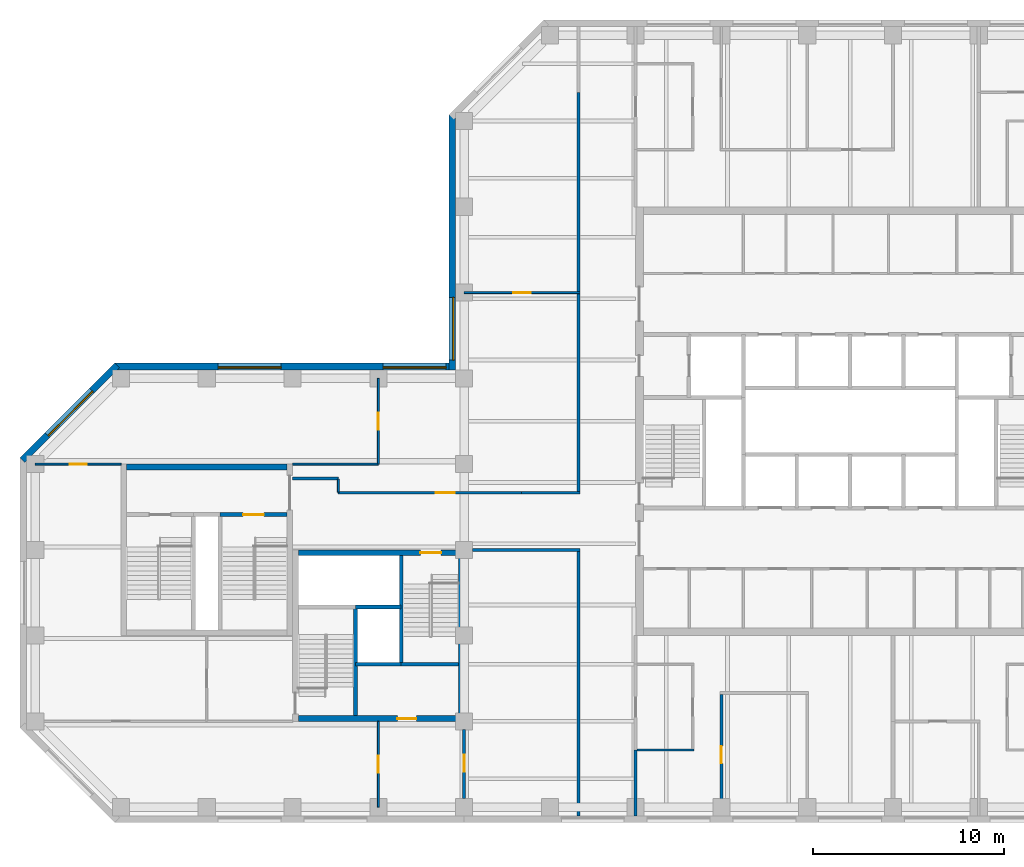
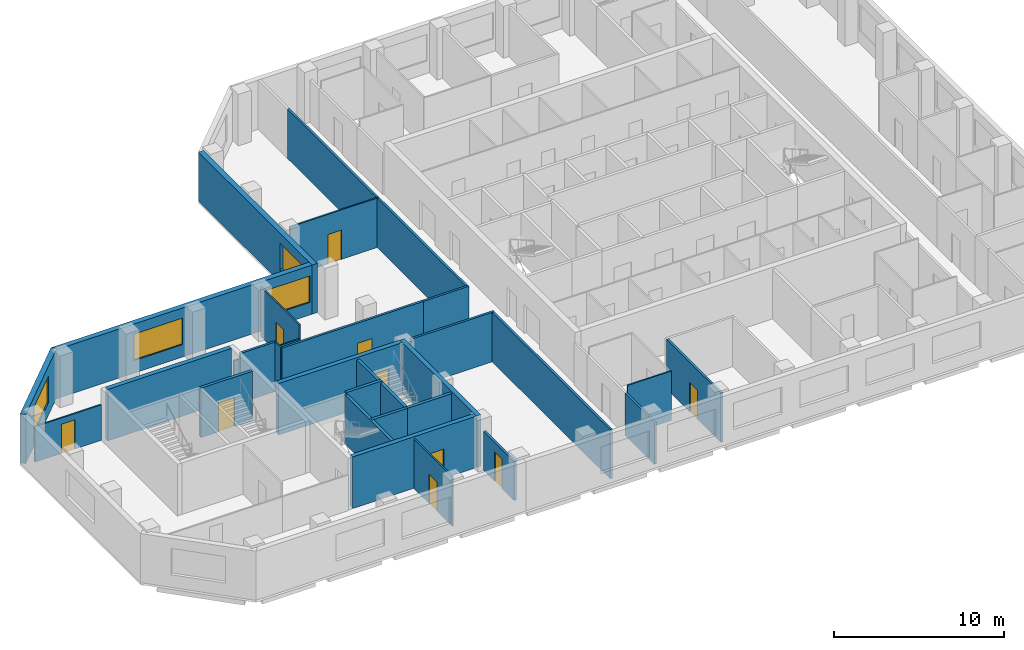
# One storey, part 3 of 9: 29 walls, 10 doors, 4 windows, 14 openings.
"""IFC4 building model written with IfcOpenShell, lengths in metres."""

from ifc_helpers import new_model, si_unit, direction, frame, frame_2d, origin, place, context, subcontext, project, spatial, rectangle, extrude, material, layer, layer_set, constituent, constituent_set, type_object, element, fill, save


model = new_model("IFC4")

# Units and contexts
model_context = context("Model", 3, precision=1e-05, world=origin(), true_north=direction((0.0, 1.0)))
body_context = subcontext(model_context, "Body", "Model", "MODEL_VIEW")
ifc_project = project(units=[si_unit("LENGTHUNIT", "METRE"), si_unit("AREAUNIT", "SQUARE_METRE"), si_unit("VOLUMEUNIT", "CUBIC_METRE"), si_unit("PLANEANGLEUNIT", "RADIAN"), si_unit("MASSUNIT", "GRAM", prefix="KILO")], contexts=[model_context])

# Site, building, storey
site_placement = place(None, origin())
site = spatial("IfcSite", under=ifc_project, at=site_placement, CompositionType="ELEMENT")
building_placement = place(site_placement, origin())
building = spatial("IfcBuilding", under=site, at=building_placement, Name="Quoin Convention Tower", CompositionType="ELEMENT")
storey_placement = place(building_placement, frame((0.0, 0.0, 162.5)))
storey = spatial("IfcBuildingStorey", under=building, at=storey_placement, Name="L42", CompositionType="ELEMENT", Elevation=162.5)

# Wall, opening, door
ifc_material_1 = material(Name="Plasterboard")
ifc_layer_1 = layer(ifc_material_1, 0.012451171875, Name="Finish")
ifc_material_2 = material(Name="Steel stud framing", Category="steel")
ifc_layer_2 = layer(ifc_material_2, 0.125, Name="Structure")
ifc_layer_3 = layer(ifc_material_1, 0.012451171875, Name="Finish")
ifc_layer_set_1 = layer_set([ifc_layer_1, ifc_layer_2, ifc_layer_3], Name="Steel stud framing")
wall_type_1 = type_object("IfcWallType", Name="Acoustic partition 150", PredefinedType="PARTITIONING", material=ifc_layer_set_1)
wall_1_placement = place(storey_placement, frame((49.5, 40.050048828125, 0.0), z_axis=(0.0, 0.0, 1.0), x_axis=(0.0, 1.0, 0.0)))
wall_1 = element("IfcWall", 1, at=wall_1_placement, inside=storey, type_object=wall_type_1, Name="pw-L42-039", PredefinedType="PARTITIONING", context=body_context, shape_type="SweptSolid", body=[
    extrude(rectangle(XDim=6.375, YDim=0.14990234375, at=frame_2d((3.1875, 0.0))), origin(), (0.0, 0.0, 1.0), 3.550048828125),
])
opening_1_placement = place(wall_1_placement, frame((2.75, 0.0, 0.0)))
opening_1 = element("IfcOpeningElement", 2, at=opening_1_placement, cuts=wall_1, Name="Opening DOH3-08", PredefinedType="OPENING", context=body_context, shape_type="SweptSolid", body=[
    extrude(rectangle(XDim=0.89990234375, YDim=2.10009765625, at=frame_2d((0.449951171875, 1.050048828125))), frame((0.0, 0.0849609375, 0.0), z_axis=(0.0, -1.0, 0.0), x_axis=(1.0, 0.0, 0.0)), (0.0, 0.0, 1.0), 0.169921875),
])
ifc_material_3 = material(Name="Steel door leaf", Category="steel")
door_type_1 = type_object("IfcDoorType", Name="Office door 900 x 2100", OperationType="SINGLE_SWING_RIGHT", PredefinedType="DOOR", material=ifc_material_3)
door_1_placement = place(opening_1_placement, origin())
door_1 = element("IfcDoor", 3, at=door_1_placement, inside=storey, type_object=door_type_1, Name="dr-L42-10", OperationType="SINGLE_SWING_RIGHT", OverallHeight=2.10009765625, OverallWidth=0.89990234375, PredefinedType="DOOR", context=body_context, shape_type="SweptSolid", body=[
    extrude(rectangle(XDim=0.89990234375, YDim=2.10009765625, at=frame_2d((0.449951171875, 1.050048828125))), frame((0.0, 0.02490234375, 0.0), z_axis=(0.0, -1.0, 0.0), x_axis=(1.0, 0.0, 0.0)), (0.0, 0.0, 1.0), 0.050048828125),
])
fill(opening_1, door_1)

# Wall, opening, window
ifc_material_4 = material(Name="Brick masonry", Category="masonry")
ifc_layer_4 = layer(ifc_material_4, 0.35009765625)
ifc_layer_set_2 = layer_set([ifc_layer_4], Name="Brick masonry")
wall_type_2 = type_object("IfcWallType", Name="Brick facade wall", PredefinedType="STANDARD", material=ifc_layer_set_2)
wall_2_placement = place(storey_placement, frame((35.375, 76.831298828125, 0.0), z_axis=(0.0, 0.0, 1.0), x_axis=(0.0, -1.0, 0.0)))
wall_2 = element("IfcWall", 4, at=wall_2_placement, inside=storey, type_object=wall_type_2, Name="fw-L42-36000_76500", PredefinedType="STANDARD", context=body_context, shape_type="SweptSolid", body=[
    extrude(rectangle(XDim=13.38134765625, YDim=0.35009765625, at=frame_2d((6.690673828125, 0.0))), origin(), (0.0, 0.0, 1.0), 3.52490234375),
])
opening_2_placement = place(wall_2_placement, frame((9.581298828125, 0.0, 0.89990234375)))
opening_2 = element("IfcOpeningElement", 5, at=opening_2_placement, cuts=wall_2, Name="Opening W-02", PredefinedType="OPENING", context=body_context, shape_type="SweptSolid", body=[
    extrude(rectangle(XDim=3.300048828125, YDim=1.89990234375, at=frame_2d((1.64990234375, 0.949951171875))), frame((0.0, 0.18505859375, 0.0), z_axis=(0.0, -1.0, 0.0), x_axis=(1.0, 0.0, 0.0)), (0.0, 0.0, 1.0), 0.3701171875),
])
ifc_material_5 = material(Name="Aluminium", Category="aluminium")
ifc_constituent_1 = constituent(ifc_material_5, Name="Frame")
ifc_material_6 = material(Name="Insulated glass", Category="glass")
ifc_constituent_2 = constituent(ifc_material_6, Name="Glazing")
ifc_constituent_set = constituent_set(constituents=[ifc_constituent_1, ifc_constituent_2], Name="Aluminium")
window_type = type_object("IfcWindowType", Name="Office window", PartitioningType="DOUBLE_PANEL_VERTICAL", PredefinedType="WINDOW", material=ifc_constituent_set)
window_1_placement = place(opening_2_placement, origin())
window_1 = element("IfcWindow", 6, at=window_1_placement, inside=storey, type_object=window_type, Name="win-L42-35375_65250", OverallHeight=1.89990234375, OverallWidth=3.300048828125, PartitioningType="SINGLE_PANEL", PredefinedType="WINDOW", context=body_context, shape_type="SweptSolid", body=[
    extrude(rectangle(XDim=3.300048828125, YDim=1.89990234375, at=frame_2d((1.64990234375, 0.949951171875))), frame((0.0, 0.0849609375, 0.0), z_axis=(0.0, -1.0, 0.0), x_axis=(1.0, 0.0, 0.0)), (0.0, 0.0, 1.0), 0.06005859375),
])
fill(opening_2, window_1)

# Wall, openings, windows
wall_3_placement = place(storey_placement, frame((35.550048828125, 63.625, 0.0), z_axis=(0.0, 0.0, 1.0), x_axis=(-1.0, 0.0, 0.0)))
wall_3 = element("IfcWall", 7, at=wall_3_placement, inside=storey, type_object=wall_type_2, Name="fw-L42-36000_63000", PredefinedType="STANDARD", context=body_context, shape_type="SweptSolid", body=[
    extrude(rectangle(XDim=17.88134765625, YDim=0.35009765625, at=frame_2d((8.940673828125, 0.0))), origin(), (0.0, 0.0, 1.0), 3.52490234375),
])
opening_3_placement = place(wall_3_placement, frame((0.5, 0.0, 0.89990234375)))
opening_3 = element("IfcOpeningElement", 8, at=opening_3_placement, cuts=wall_3, Name="Opening W-02", PredefinedType="OPENING", context=body_context, shape_type="SweptSolid", body=[
    extrude(rectangle(XDim=3.300048828125, YDim=1.89990234375, at=frame_2d((1.64990234375, 0.949951171875))), frame((0.0, 0.18505859375, 0.0), z_axis=(0.0, -1.0, 0.0), x_axis=(1.0, 0.0, 0.0)), (0.0, 0.0, 1.0), 0.3701171875),
])
opening_4_placement = place(wall_3_placement, frame((9.14990234375, 0.0, 0.89990234375)))
opening_4 = element("IfcOpeningElement", 9, at=opening_4_placement, cuts=wall_3, Name="Opening W-02", PredefinedType="OPENING", context=body_context, shape_type="SweptSolid", body=[
    extrude(rectangle(XDim=3.300048828125, YDim=1.89990234375, at=frame_2d((1.64990234375, 0.949951171875))), frame((0.0, 0.18505859375, 0.0), z_axis=(0.0, -1.0, 0.0), x_axis=(1.0, 0.0, 0.0)), (0.0, 0.0, 1.0), 0.3701171875),
])
window_2_placement = place(opening_3_placement, origin())
window_2 = element("IfcWindow", 10, at=window_2_placement, inside=storey, type_object=window_type, Name="win-L42-33750_63625", OverallHeight=1.89990234375, OverallWidth=3.300048828125, PartitioningType="SINGLE_PANEL", PredefinedType="WINDOW", context=body_context, shape_type="SweptSolid", body=[
    extrude(rectangle(XDim=3.300048828125, YDim=1.89990234375, at=frame_2d((1.64990234375, 0.949951171875))), frame((0.0, 0.0849609375, 0.0), z_axis=(0.0, -1.0, 0.0), x_axis=(1.0, 0.0, 0.0)), (0.0, 0.0, 1.0), 0.06005859375),
])
fill(opening_3, window_2)
window_3_placement = place(opening_4_placement, origin())
window_3 = element("IfcWindow", 11, at=window_3_placement, inside=storey, type_object=window_type, Name="win-L42-24750_63625", OverallHeight=1.89990234375, OverallWidth=3.300048828125, PartitioningType="SINGLE_PANEL", PredefinedType="WINDOW", context=body_context, shape_type="SweptSolid", body=[
    extrude(rectangle(XDim=3.300048828125, YDim=1.89990234375, at=frame_2d((1.64990234375, 0.949951171875))), frame((0.0, 0.0849609375, 0.0), z_axis=(0.0, -1.0, 0.0), x_axis=(1.0, 0.0, 0.0)), (0.0, 0.0, 1.0), 0.06005859375),
])
fill(opening_4, window_3)

# Wall, opening, window
wall_4_placement = place(storey_placement, frame((17.79248046875, 63.67626953125, 0.0), z_axis=(0.0, 0.0, 1.0), x_axis=(-0.707106781187, -0.707106781187, 0.0)))
wall_4 = element("IfcWall", 12, at=wall_4_placement, inside=storey, type_object=wall_type_2, Name="fw-L42-18000_63000", PredefinedType="STANDARD", context=body_context, shape_type="SweptSolid", body=[
    extrude(rectangle(XDim=7.02685546875, YDim=0.35009765625, at=frame_2d((3.513427734375, 0.0))), origin(), (0.0, 0.0, 1.0), 3.52490234375),
])
opening_5_placement = place(wall_4_placement, frame((1.86328125, 0.0, 0.89990234375)))
opening_5 = element("IfcOpeningElement", 13, at=opening_5_placement, cuts=wall_4, Name="Opening W-02", PredefinedType="OPENING", context=body_context, shape_type="SweptSolid", body=[
    extrude(rectangle(XDim=3.300048828125, YDim=1.89990234375, at=frame_2d((1.64990234375, 0.949951171875))), frame((0.0, 0.18505859375, 0.0), z_axis=(0.0, -1.0, 0.0), x_axis=(1.0, 0.0, 0.0)), (0.0, 0.0, 1.0), 0.3701171875),
])
window_4_placement = place(opening_5_placement, origin())
window_4 = element("IfcWindow", 14, at=window_4_placement, inside=storey, type_object=window_type, Name="win-L42-15308_61192", OverallHeight=1.89990234375, OverallWidth=3.300048828125, PartitioningType="SINGLE_PANEL", PredefinedType="WINDOW", context=body_context, shape_type="SweptSolid", body=[
    extrude(rectangle(XDim=3.300048828125, YDim=1.89990234375, at=frame_2d((1.64990234375, 0.949951171875))), frame((0.0, 0.0849609375, 0.0), z_axis=(0.0, -1.0, 0.0), x_axis=(1.0, 0.0, 0.0)), (0.0, 0.0, 1.0), 0.06005859375),
])
fill(opening_5, window_4)

# Walls
ifc_material_7 = material(Name="Concrete C50", Category="concrete")
ifc_layer_5 = layer(ifc_material_7, 0.199951171875)
ifc_layer_set_3 = layer_set([ifc_layer_5], Name="Concrete C50")
wall_type_3 = type_object("IfcWallType", Name="Core shaft wall", PredefinedType="SOLIDWALL", material=ifc_layer_set_3)
wall_5_placement = place(storey_placement, frame((30.300048828125, 48.0, 0.0), z_axis=(0.0, 0.0, 1.0), x_axis=(1.0, 0.0, 0.0)))
element("IfcWall", 15, at=wall_5_placement, inside=storey, type_object=wall_type_3, Name="cr-P2-L42-h3000_3300", PredefinedType="SOLIDWALL", context=body_context, shape_type="SweptSolid", body=[
    extrude(rectangle(XDim=2.39990234375, YDim=0.199951171875, at=frame_2d((1.199951171875, 0.0))), origin(), (0.0, 0.0, 1.0), 3.550048828125),
])
wall_6_placement = place(storey_placement, frame((32.699951171875, 48.0, 0.0), z_axis=(0.0, 0.0, 1.0), x_axis=(1.0, 0.0, 0.0)))
element("IfcWall", 16, at=wall_6_placement, inside=storey, type_object=wall_type_3, Name="cr-P2-L42-h3000_5700", PredefinedType="SOLIDWALL", context=body_context, shape_type="SweptSolid", body=[
    extrude(rectangle(XDim=3.0, YDim=0.199951171875, at=frame_2d((1.5, 0.0))), origin(), (0.0, 0.0, 1.0), 3.550048828125),
])
for number, where, z_axis, x_axis, name in (
    (17, (30.300048828125, 45.300048828125, 0.0), (0.0, 0.0, 1.0), (0.0, 1.0, 0.0), "cr-P2-L42-v3300_300"),
    (18, (32.699951171875, 48.0, 0.0), (0.0, 0.0, 1.0), (0.0, 1.0, 0.0), "cr-P2-L42-v5700_3000"),
):
    element("IfcWall", number, at=place(storey_placement, frame(where, z_axis=z_axis, x_axis=x_axis)), inside=storey, type_object=wall_type_3, Name=name, PredefinedType="SOLIDWALL", context=body_context, shape_type="SweptSolid", body=[
        extrude(rectangle(XDim=5.699951171875, YDim=0.199951171875, at=frame_2d((2.85009765625, 0.0))), origin(), (0.0, 0.0, 1.0), 3.550048828125),
    ])

# Wall, opening, door
wall_7_placement = place(storey_placement, frame((23.199951171875, 55.85009765625, 0.0), z_axis=(0.0, 0.0, 1.0), x_axis=(1.0, 0.0, 0.0)))
wall_7 = element("IfcWall", 19, at=wall_7_placement, inside=storey, type_object=wall_type_3, Name="cr-P6-L42-h6350_5200", PredefinedType="SOLIDWALL", context=body_context, shape_type="SweptSolid", body=[
    extrude(rectangle(XDim=3.5, YDim=0.199951171875, at=frame_2d((1.75, 0.0))), origin(), (0.0, 0.0, 1.0), 3.550048828125),
])
opening_6_placement = place(wall_7_placement, frame((1.199951171875, 0.0, 0.0)))
opening_6 = element("IfcOpeningElement", 20, at=opening_6_placement, cuts=wall_7, Name="Opening SD12", PredefinedType="OPENING", context=body_context, shape_type="SweptSolid", body=[
    extrude(rectangle(XDim=1.10009765625, YDim=2.10009765625, at=frame_2d((0.550048828125, 1.050048828125))), frame((0.0, 0.10986328125, 0.0), z_axis=(0.0, -1.0, 0.0), x_axis=(1.0, 0.0, 0.0)), (0.0, 0.0, 1.0), 0.219970703125),
])
door_type_2 = type_object("IfcDoorType", Name="Stair door 1100 x 2100", OperationType="SINGLE_SWING_RIGHT", PredefinedType="DOOR", material=ifc_material_3)
door_2_placement = place(opening_6_placement, origin())
door_2 = element("IfcDoor", 21, at=door_2_placement, inside=storey, type_object=door_type_2, Name="cd-P6-L42-SB-R2-SD12", OperationType="SINGLE_SWING_RIGHT", OverallHeight=2.10009765625, OverallWidth=1.10009765625, PredefinedType="DOOR", context=body_context, shape_type="SweptSolid", body=[
    extrude(rectangle(XDim=1.10009765625, YDim=2.10009765625, at=frame_2d((0.550048828125, 1.050048828125))), frame((0.0, 0.02490234375, 0.0), z_axis=(0.0, -1.0, 0.0), x_axis=(1.0, 0.0, 0.0)), (0.0, 0.0, 1.0), 0.050048828125),
])
fill(opening_6, door_2)

# Walls
ifc_layer_6 = layer(ifc_material_7, 0.199951171875)
ifc_layer_set_4 = layer_set([ifc_layer_6], Name="Concrete C50")
wall_type_4 = type_object("IfcWallType", Name="Core shaft wall to the floor level over", PredefinedType="SOLIDWALL", material=ifc_layer_set_4)
wall_8_placement = place(storey_placement, frame((30.300048828125, 51.0, 0.0), z_axis=(0.0, 0.0, 1.0), x_axis=(1.0, 0.0, 0.0)))
element("IfcWall", 22, at=wall_8_placement, inside=storey, type_object=wall_type_4, Name="cr-P2-L42-h6000_3300", PredefinedType="SOLIDWALL", context=body_context, shape_type="SweptSolid", body=[
    extrude(rectangle(XDim=2.39990234375, YDim=0.199951171875, at=frame_2d((1.199951171875, 0.0))), origin(), (0.0, 0.0, 1.0), 3.699951171875),
])
ifc_layer_7 = layer(ifc_material_1, 0.012451171875, Name="Finish")
ifc_layer_8 = layer(ifc_material_2, 0.125, Name="Structure")
ifc_layer_9 = layer(ifc_material_1, 0.012451171875, Name="Finish")
ifc_layer_set_5 = layer_set([ifc_layer_7, ifc_layer_8, ifc_layer_9], Name="Steel stud framing")
wall_type_5 = type_object("IfcWallType", Name="Corridor wall 150", PredefinedType="PARTITIONING", material=ifc_layer_set_5)
wall_9_placement = place(storey_placement, frame((36.449951171875, 54.0, 0.0), z_axis=(0.0, 0.0, 1.0), x_axis=(1.0, 0.0, 0.0)))
element("IfcWall", 23, at=wall_9_placement, inside=storey, type_object=wall_type_5, Name="pw-L42-017", PredefinedType="PARTITIONING", context=body_context, shape_type="SweptSolid", body=[
    extrude(rectangle(XDim=5.625, YDim=0.14990234375, at=frame_2d((2.8125, 0.0))), origin(), (0.0, 0.0, 1.0), 3.550048828125),
])

# Wall, opening, door
wall_10_placement = place(storey_placement, frame((29.3798828125, 57.0, 0.0), z_axis=(0.0, 0.0, 1.0), x_axis=(1.0, 0.0, 0.0)))
wall_10 = element("IfcWall", 24, at=wall_10_placement, inside=storey, type_object=wall_type_5, Name="pw-L42-019", PredefinedType="PARTITIONING", context=body_context, shape_type="SweptSolid", body=[
    extrude(rectangle(XDim=9.6201171875, YDim=0.14990234375, at=frame_2d((4.81005859375, 0.0))), origin(), (0.0, 0.0, 1.0), 3.550048828125),
])
opening_7_placement = place(wall_10_placement, frame((5.1298828125, 0.0, 0.0)))
opening_7 = element("IfcOpeningElement", 25, at=opening_7_placement, cuts=wall_10, Name="Opening DOH3-03", PredefinedType="OPENING", context=body_context, shape_type="SweptSolid", body=[
    extrude(rectangle(XDim=1.0, YDim=2.10009765625, at=frame_2d((0.5, 1.050048828125))), frame((0.0, 0.0849609375, 0.0), z_axis=(0.0, -1.0, 0.0), x_axis=(1.0, 0.0, 0.0)), (0.0, 0.0, 1.0), 0.169921875),
])
door_type_3 = type_object("IfcDoorType", Name="Tenancy entrance door 1000 x 2100", OperationType="DOUBLE_DOOR_SINGLE_SWING", PredefinedType="DOOR", material=ifc_material_3)
door_3_placement = place(opening_7_placement, origin())
door_3 = element("IfcDoor", 26, at=door_3_placement, inside=storey, type_object=door_type_3, Name="dr-L42-w01", OperationType="DOUBLE_DOOR_SINGLE_SWING", OverallHeight=2.10009765625, OverallWidth=1.0, PredefinedType="DOOR", context=body_context, shape_type="SweptSolid", body=[
    extrude(rectangle(XDim=1.0, YDim=2.10009765625, at=frame_2d((0.5, 1.050048828125))), frame((0.0, 0.02490234375, 0.0), z_axis=(0.0, -1.0, 0.0), x_axis=(1.0, 0.0, 0.0)), (0.0, 0.0, 1.0), 0.050048828125),
])
fill(opening_7, door_3)

# Walls
wall_11_placement = place(storey_placement, frame((39.0, 57.0, 0.0), z_axis=(0.0, 0.0, 1.0), x_axis=(1.0, 0.0, 0.0)))
element("IfcWall", 27, at=wall_11_placement, inside=storey, type_object=wall_type_5, Name="pw-L42-020", PredefinedType="PARTITIONING", context=body_context, shape_type="SweptSolid", body=[
    extrude(rectangle(XDim=3.074951171875, YDim=0.14990234375, at=frame_2d((1.53759765625, 0.0))), origin(), (0.0, 0.0, 1.0), 3.550048828125),
])
wall_12_placement = place(storey_placement, frame((42.0, 40.050048828125, 0.0), z_axis=(0.0, 0.0, 1.0), x_axis=(0.0, 1.0, 0.0)))
element("IfcWall", 28, at=wall_12_placement, inside=storey, type_object=wall_type_5, Name="pw-L42-037", PredefinedType="PARTITIONING", context=body_context, shape_type="SweptSolid", body=[
    extrude(rectangle(XDim=13.875, YDim=0.14990234375, at=frame_2d((6.9375, 0.0))), origin(), (0.0, 0.0, 1.0), 3.550048828125),
])
wall_13_placement = place(storey_placement, frame((42.0, 57.074951171875, 0.0), z_axis=(0.0, 0.0, 1.0), x_axis=(0.0, 1.0, 0.0)))
element("IfcWall", 29, at=wall_13_placement, inside=storey, type_object=wall_type_5, Name="pw-L42-068", PredefinedType="PARTITIONING", context=body_context, shape_type="SweptSolid", body=[
    extrude(rectangle(XDim=20.925048828125, YDim=0.14990234375, at=frame_2d((10.46240234375, 0.0))), origin(), (0.0, 0.0, 1.0), 3.550048828125),
])
wall_14_placement = place(storey_placement, frame((27.0, 57.75, 0.0), z_axis=(0.0, 0.0, 1.0), x_axis=(1.0, 0.0, 0.0)))
element("IfcWall", 30, at=wall_14_placement, inside=storey, type_object=wall_type_5, Name="pw-L42-w09", PredefinedType="PARTITIONING", context=body_context, shape_type="SweptSolid", body=[
    extrude(rectangle(XDim=2.39990234375, YDim=0.14990234375, at=frame_2d((1.199951171875, 0.0))), origin(), (0.0, 0.0, 1.0), 3.550048828125),
])
ifc_layer_10 = layer(ifc_material_1, 0.012451171875, Name="Finish")
ifc_layer_11 = layer(ifc_material_2, 0.125, Name="Structure")
ifc_layer_12 = layer(ifc_material_1, 0.012451171875, Name="Finish")
ifc_layer_set_6 = layer_set([ifc_layer_10, ifc_layer_11, ifc_layer_12], Name="Steel stud framing")
wall_type_6 = type_object("IfcWallType", Name="Corridor wall 150 under beam 528", PredefinedType="PARTITIONING", material=ifc_layer_set_6)
wall_15_placement = place(storey_placement, frame((45.0, 40.050048828125, 0.0), z_axis=(0.0, 0.0, 1.0), x_axis=(0.0, 1.0, 0.0)))
element("IfcWall", 31, at=wall_15_placement, inside=storey, type_object=wall_type_6, Name="pw-L42-038", PredefinedType="PARTITIONING", context=body_context, shape_type="SweptSolid", body=[
    extrude(rectangle(XDim=3.449951171875, YDim=0.14990234375, at=frame_2d((1.72509765625, 0.0))), origin(), (0.0, 0.0, 1.0), 3.02197265625),
])

# Wall, opening, door
ifc_layer_13 = layer(ifc_material_1, 0.012451171875, Name="Finish")
ifc_layer_14 = layer(ifc_material_2, 0.125, Name="Structure")
ifc_layer_15 = layer(ifc_material_1, 0.012451171875, Name="Finish")
ifc_layer_set_7 = layer_set([ifc_layer_13, ifc_layer_14, ifc_layer_15], Name="Steel stud framing")
wall_type_7 = type_object("IfcWallType", Name="Corridor wall 150 under beam 750", PredefinedType="PARTITIONING", material=ifc_layer_set_7)
wall_16_placement = place(storey_placement, frame((36.0, 40.949951171875, 0.0), z_axis=(0.0, 0.0, 1.0), x_axis=(0.0, 1.0, 0.0)))
wall_16 = element("IfcWall", 32, at=wall_16_placement, inside=storey, type_object=wall_type_7, Name="pw-L42-045", PredefinedType="PARTITIONING", context=body_context, shape_type="SweptSolid", body=[
    extrude(rectangle(XDim=3.630126953125, YDim=0.14990234375, at=frame_2d((1.81494140625, 0.0))), origin(), (0.0, 0.0, 1.0), 2.800048828125),
])
opening_8_placement = place(wall_16_placement, frame((1.39990234375, 0.0, 0.0)))
opening_8 = element("IfcOpeningElement", 33, at=opening_8_placement, cuts=wall_16, Name="Opening DOH3-10", PredefinedType="OPENING", context=body_context, shape_type="SweptSolid", body=[
    extrude(rectangle(XDim=0.89990234375, YDim=2.10009765625, at=frame_2d((0.449951171875, 1.050048828125))), frame((0.0, 0.0849609375, 0.0), z_axis=(0.0, -1.0, 0.0), x_axis=(1.0, 0.0, 0.0)), (0.0, 0.0, 1.0), 0.169921875),
])
door_4_placement = place(opening_8_placement, frame((0.89990234375, 0.0, 0.0), z_axis=(0.0, 0.0, 1.0), x_axis=(-1.0, 0.0, 0.0)))
door_4 = element("IfcDoor", 34, at=door_4_placement, inside=storey, type_object=door_type_1, Name="dr-L42-01", OperationType="SINGLE_SWING_LEFT", OverallHeight=2.10009765625, OverallWidth=0.89990234375, PredefinedType="DOOR", context=body_context, shape_type="SweptSolid", body=[
    extrude(rectangle(XDim=0.89990234375, YDim=2.10009765625, at=frame_2d((0.449951171875, 1.050048828125))), frame((0.0, 0.02490234375, 0.0), z_axis=(0.0, -1.0, 0.0), x_axis=(1.0, 0.0, 0.0)), (0.0, 0.0, 1.0), 0.050048828125),
])
fill(opening_8, door_4)

ifc_layer_16 = layer(ifc_material_7, 0.300048828125)
ifc_layer_set_8 = layer_set([ifc_layer_16], Name="Concrete C50")
wall_type_8 = type_object("IfcWallType", Name="RC CORE WALL 300 C50", PredefinedType="SHEAR", material=ifc_layer_set_8)
wall_17_placement = place(storey_placement, frame((27.300048828125, 45.14990234375, 0.0), z_axis=(0.0, 0.0, 1.0), x_axis=(1.0, 0.0, 0.0)))
wall_17 = element("IfcWall", 35, at=wall_17_placement, inside=storey, type_object=wall_type_8, Name="cwl-P2-L42-S", PredefinedType="SHEAR", context=body_context, shape_type="SweptSolid", body=[
    extrude(rectangle(XDim=8.39990234375, YDim=0.300048828125, at=frame_2d((4.199951171875, 0.0))), origin(), (0.0, 0.0, 1.0), 3.699951171875),
])
opening_9_placement = place(wall_17_placement, frame((5.199951171875, 0.0, 0.0)))
opening_9 = element("IfcOpeningElement", 36, at=opening_9_placement, cuts=wall_17, Name="Opening DCV2-41", PredefinedType="OPENING", context=body_context, shape_type="SweptSolid", body=[
    extrude(rectangle(XDim=1.0, YDim=2.10009765625, at=frame_2d((0.5, 1.050048828125))), frame((0.0, 0.159912109375, 0.0), z_axis=(0.0, -1.0, 0.0), x_axis=(1.0, 0.0, 0.0)), (0.0, 0.0, 1.0), 0.320068359375),
])
door_type_4 = type_object("IfcDoorType", Name="Service door 1000 x 2100", OperationType="SINGLE_SWING_LEFT", PredefinedType="DOOR", material=ifc_material_3)
door_5_placement = place(opening_9_placement, frame((1.0, 0.0, 0.0), z_axis=(0.0, 0.0, 1.0), x_axis=(-1.0, 0.0, 0.0)))
door_5 = element("IfcDoor", 37, at=door_5_placement, inside=storey, type_object=door_type_4, Name="cd-P2-L42-R2-S", OperationType="SINGLE_SWING_RIGHT", OverallHeight=2.10009765625, OverallWidth=1.0, PredefinedType="DOOR", context=body_context, shape_type="SweptSolid", body=[
    extrude(rectangle(XDim=1.0, YDim=2.10009765625, at=frame_2d((0.5, 1.050048828125))), frame((0.0, 0.02490234375, 0.0), z_axis=(0.0, -1.0, 0.0), x_axis=(1.0, 0.0, 0.0)), (0.0, 0.0, 1.0), 0.050048828125),
])
fill(opening_9, door_5)

wall_18_placement = place(storey_placement, frame((27.300048828125, 53.85009765625, 0.0), z_axis=(0.0, 0.0, 1.0), x_axis=(1.0, 0.0, 0.0)))
wall_18 = element("IfcWall", 38, at=wall_18_placement, inside=storey, type_object=wall_type_8, Name="cwl-P2-L42-N", PredefinedType="SHEAR", context=body_context, shape_type="SweptSolid", body=[
    extrude(rectangle(XDim=8.39990234375, YDim=0.300048828125, at=frame_2d((4.199951171875, 0.0))), origin(), (0.0, 0.0, 1.0), 3.699951171875),
])
opening_10_placement = place(wall_18_placement, frame((6.39990234375, 0.0, 0.0)))
opening_10 = element("IfcOpeningElement", 39, at=opening_10_placement, cuts=wall_18, Name="Opening SD4", PredefinedType="OPENING", context=body_context, shape_type="SweptSolid", body=[
    extrude(rectangle(XDim=1.10009765625, YDim=2.10009765625, at=frame_2d((0.550048828125, 1.050048828125))), frame((0.0, 0.159912109375, 0.0), z_axis=(0.0, -1.0, 0.0), x_axis=(1.0, 0.0, 0.0)), (0.0, 0.0, 1.0), 0.320068359375),
])
door_6_placement = place(opening_10_placement, frame((1.10009765625, 0.0, 0.0), z_axis=(0.0, 0.0, 1.0), x_axis=(-1.0, 0.0, 0.0)))
door_6 = element("IfcDoor", 40, at=door_6_placement, inside=storey, type_object=door_type_2, Name="cd-P2-L42-SB-N", OperationType="SINGLE_SWING_LEFT", OverallHeight=2.10009765625, OverallWidth=1.10009765625, PredefinedType="DOOR", context=body_context, shape_type="SweptSolid", body=[
    extrude(rectangle(XDim=1.10009765625, YDim=2.10009765625, at=frame_2d((0.550048828125, 1.050048828125))), frame((0.0, 0.02490234375, 0.0), z_axis=(0.0, -1.0, 0.0), x_axis=(1.0, 0.0, 0.0)), (0.0, 0.0, 1.0), 0.050048828125),
])
fill(opening_10, door_6)

# Walls
wall_19_placement = place(storey_placement, frame((35.85009765625, 45.0, 0.0), z_axis=(0.0, 0.0, 1.0), x_axis=(0.0, 1.0, 0.0)))
element("IfcWall", 41, at=wall_19_placement, inside=storey, type_object=wall_type_8, Name="cwl-P2-L42-E", PredefinedType="SHEAR", context=body_context, shape_type="SweptSolid", body=[
    extrude(rectangle(XDim=9.0, YDim=0.300048828125, at=frame_2d((4.5, 0.0))), origin(), (0.0, 0.0, 1.0), 3.699951171875),
])
wall_20_placement = place(storey_placement, frame((18.300048828125, 58.35009765625, 0.0), z_axis=(0.0, 0.0, 1.0), x_axis=(1.0, 0.0, 0.0)))
element("IfcWall", 42, at=wall_20_placement, inside=storey, type_object=wall_type_8, Name="cwl-P6-L42-N", PredefinedType="SHEAR", context=body_context, shape_type="SweptSolid", body=[
    extrude(rectangle(XDim=8.39990234375, YDim=0.300048828125, at=frame_2d((4.199951171875, 0.0))), origin(), (0.0, 0.0, 1.0), 3.699951171875),
])
ifc_layer_17 = layer(ifc_material_1, 0.012451171875, Name="Finish")
ifc_layer_18 = layer(ifc_material_2, 0.074951171875, Name="Structure")
ifc_layer_19 = layer(ifc_material_1, 0.012451171875, Name="Finish")
ifc_layer_set_9 = layer_set([ifc_layer_17, ifc_layer_18, ifc_layer_19], Name="Steel stud framing")
wall_type_9 = type_object("IfcWallType", Name="Stud partition 100", PredefinedType="PARTITIONING", material=ifc_layer_set_9)
wall_21_placement = place(storey_placement, frame((45.074951171875, 43.5, 0.0), z_axis=(0.0, 0.0, 1.0), x_axis=(1.0, 0.0, 0.0)))
element("IfcWall", 43, at=wall_21_placement, inside=storey, type_object=wall_type_9, Name="pw-L42-001", PredefinedType="PARTITIONING", context=body_context, shape_type="SweptSolid", body=[
    extrude(rectangle(XDim=2.97509765625, YDim=0.10009765625, at=frame_2d((1.487548828125, 0.0))), origin(), (0.0, 0.0, 1.0), 3.550048828125),
])

# Wall, opening, door
wall_22_placement = place(storey_placement, frame((36.0, 67.5, 0.0), z_axis=(0.0, 0.0, 1.0), x_axis=(1.0, 0.0, 0.0)))
wall_22 = element("IfcWall", 44, at=wall_22_placement, inside=storey, type_object=wall_type_9, Name="pw-L42-w01", PredefinedType="PARTITIONING", context=body_context, shape_type="SweptSolid", body=[
    extrude(rectangle(XDim=6.074951171875, YDim=0.10009765625, at=frame_2d((3.03759765625, 0.0))), origin(), (0.0, 0.0, 1.0), 3.550048828125),
])
opening_11_placement = place(wall_22_placement, frame((2.587890625, 0.0, 0.0)))
opening_11 = element("IfcOpeningElement", 45, at=opening_11_placement, cuts=wall_22, Name="Opening DOH3-24", PredefinedType="OPENING", context=body_context, shape_type="SweptSolid", body=[
    extrude(rectangle(XDim=0.89990234375, YDim=2.10009765625, at=frame_2d((0.449951171875, 1.050048828125))), frame((0.0, 0.06005859375, 0.0), z_axis=(0.0, -1.0, 0.0), x_axis=(1.0, 0.0, 0.0)), (0.0, 0.0, 1.0), 0.1201171875),
])
door_7_placement = place(opening_11_placement, frame((0.89990234375, 0.0, 0.0), z_axis=(0.0, 0.0, 1.0), x_axis=(-1.0, 0.0, 0.0)))
door_7 = element("IfcDoor", 46, at=door_7_placement, inside=storey, type_object=door_type_1, Name="dr-L42-w03", OperationType="SINGLE_SWING_LEFT", OverallHeight=2.10009765625, OverallWidth=0.89990234375, PredefinedType="DOOR", context=body_context, shape_type="SweptSolid", body=[
    extrude(rectangle(XDim=0.89990234375, YDim=2.10009765625, at=frame_2d((0.449951171875, 1.050048828125))), frame((0.0, 0.02490234375, 0.0), z_axis=(0.0, -1.0, 0.0), x_axis=(1.0, 0.0, 0.0)), (0.0, 0.0, 1.0), 0.050048828125),
])
fill(opening_11, door_7)

wall_23_placement = place(storey_placement, frame((31.5, 63.0, 0.0), z_axis=(0.0, 0.0, 1.0), x_axis=(0.0, -1.0, 0.0)))
wall_23 = element("IfcWall", 47, at=wall_23_placement, inside=storey, type_object=wall_type_9, Name="pw-L42-w02", PredefinedType="PARTITIONING", context=body_context, shape_type="SweptSolid", body=[
    extrude(rectangle(XDim=4.5, YDim=0.10009765625, at=frame_2d((2.25, 0.0))), origin(), (0.0, 0.0, 1.0), 3.550048828125),
])
opening_12_placement = place(wall_23_placement, frame((1.800048828125, 0.0, 0.0)))
opening_12 = element("IfcOpeningElement", 48, at=opening_12_placement, cuts=wall_23, Name="Opening DOH3-25", PredefinedType="OPENING", context=body_context, shape_type="SweptSolid", body=[
    extrude(rectangle(XDim=0.89990234375, YDim=2.10009765625, at=frame_2d((0.449951171875, 1.050048828125))), frame((0.0, 0.06005859375, 0.0), z_axis=(0.0, -1.0, 0.0), x_axis=(1.0, 0.0, 0.0)), (0.0, 0.0, 1.0), 0.1201171875),
])
door_8_placement = place(opening_12_placement, origin())
door_8 = element("IfcDoor", 49, at=door_8_placement, inside=storey, type_object=door_type_1, Name="dr-L42-w02", OperationType="SINGLE_SWING_LEFT", OverallHeight=2.10009765625, OverallWidth=0.89990234375, PredefinedType="DOOR", context=body_context, shape_type="SweptSolid", body=[
    extrude(rectangle(XDim=0.89990234375, YDim=2.10009765625, at=frame_2d((0.449951171875, 1.050048828125))), frame((0.0, 0.02490234375, 0.0), z_axis=(0.0, -1.0, 0.0), x_axis=(1.0, 0.0, 0.0)), (0.0, 0.0, 1.0), 0.050048828125),
])
fill(opening_12, door_8)

wall_24_placement = place(storey_placement, frame((31.5, 45.0, 0.0), z_axis=(0.0, 0.0, 1.0), x_axis=(0.0, -1.0, 0.0)))
wall_24 = element("IfcWall", 50, at=wall_24_placement, inside=storey, type_object=wall_type_9, Name="pw-L42-w08", PredefinedType="PARTITIONING", context=body_context, shape_type="SweptSolid", body=[
    extrude(rectangle(XDim=4.5, YDim=0.10009765625, at=frame_2d((2.25, 0.0))), origin(), (0.0, 0.0, 1.0), 3.550048828125),
])
opening_13_placement = place(wall_24_placement, frame((1.800048828125, 0.0, 0.0)))
opening_13 = element("IfcOpeningElement", 51, at=opening_13_placement, cuts=wall_24, Name="Opening DOH3-29", PredefinedType="OPENING", context=body_context, shape_type="SweptSolid", body=[
    extrude(rectangle(XDim=0.89990234375, YDim=2.10009765625, at=frame_2d((0.449951171875, 1.050048828125))), frame((0.0, 0.06005859375, 0.0), z_axis=(0.0, -1.0, 0.0), x_axis=(1.0, 0.0, 0.0)), (0.0, 0.0, 1.0), 0.1201171875),
])
door_9_placement = place(opening_13_placement, frame((0.89990234375, 0.0, 0.0), z_axis=(0.0, 0.0, 1.0), x_axis=(-1.0, 0.0, 0.0)))
door_9 = element("IfcDoor", 52, at=door_9_placement, inside=storey, type_object=door_type_1, Name="dr-L42-w07", OperationType="SINGLE_SWING_RIGHT", OverallHeight=2.10009765625, OverallWidth=0.89990234375, PredefinedType="DOOR", context=body_context, shape_type="SweptSolid", body=[
    extrude(rectangle(XDim=0.89990234375, YDim=2.10009765625, at=frame_2d((0.449951171875, 1.050048828125))), frame((0.0, 0.02490234375, 0.0), z_axis=(0.0, -1.0, 0.0), x_axis=(1.0, 0.0, 0.0)), (0.0, 0.0, 1.0), 0.050048828125),
])
fill(opening_13, door_9)

# Walls
wall_25_placement = place(storey_placement, frame((29.39990234375, 57.715087890625, 0.0), z_axis=(0.0, 0.0, 1.0), x_axis=(0.0, -1.0, 0.0)))
element("IfcWall", 53, at=wall_25_placement, inside=storey, type_object=wall_type_9, Name="pw-L42-w10", PredefinedType="PARTITIONING", context=body_context, shape_type="SweptSolid", body=[
    extrude(rectangle(XDim=0.68017578125, YDim=0.10009765625, at=frame_2d((0.340087890625, 0.0))), origin(), (0.0, 0.0, 1.0), 3.550048828125),
])
ifc_layer_20 = layer(ifc_material_1, 0.012451171875, Name="Finish")
ifc_layer_21 = layer(ifc_material_2, 0.074951171875, Name="Structure")
ifc_layer_22 = layer(ifc_material_1, 0.012451171875, Name="Finish")
ifc_layer_set_10 = layer_set([ifc_layer_20, ifc_layer_21, ifc_layer_22], Name="Steel stud framing")
wall_type_10 = type_object("IfcWallType", Name="Stud partition 100 under beam 1000", PredefinedType="PARTITIONING", material=ifc_layer_set_10)
wall_26_placement = place(storey_placement, frame((31.5, 58.5, 0.0), z_axis=(0.0, 0.0, 1.0), x_axis=(-1.0, 0.0, 0.0)))
element("IfcWall", 54, at=wall_26_placement, inside=storey, type_object=wall_type_10, Name="pw-L42-w03", PredefinedType="PARTITIONING", context=body_context, shape_type="SweptSolid", body=[
    extrude(rectangle(XDim=4.5, YDim=0.10009765625, at=frame_2d((2.25, 0.0))), origin(), (0.0, 0.0, 1.0), 2.550048828125),
])

# Wall, opening, door
wall_27_placement = place(storey_placement, frame((13.5, 58.5, 0.0), z_axis=(0.0, 0.0, 1.0), x_axis=(1.0, 0.0, 0.0)))
wall_27 = element("IfcWall", 55, at=wall_27_placement, inside=storey, type_object=wall_type_10, Name="pw-L42-w04", PredefinedType="PARTITIONING", context=body_context, shape_type="SweptSolid", body=[
    extrude(rectangle(XDim=4.5, YDim=0.10009765625, at=frame_2d((2.25, 0.0))), origin(), (0.0, 0.0, 1.0), 2.550048828125),
])
opening_14_placement = place(wall_27_placement, frame((1.800048828125, 0.0, 0.0)))
opening_14 = element("IfcOpeningElement", 56, at=opening_14_placement, cuts=wall_27, Name="Opening DOH3-26", PredefinedType="OPENING", context=body_context, shape_type="SweptSolid", body=[
    extrude(rectangle(XDim=0.89990234375, YDim=2.10009765625, at=frame_2d((0.449951171875, 1.050048828125))), frame((0.0, 0.06005859375, 0.0), z_axis=(0.0, -1.0, 0.0), x_axis=(1.0, 0.0, 0.0)), (0.0, 0.0, 1.0), 0.1201171875),
])
door_10_placement = place(opening_14_placement, frame((0.89990234375, 0.0, 0.0), z_axis=(0.0, 0.0, 1.0), x_axis=(-1.0, 0.0, 0.0)))
door_10 = element("IfcDoor", 57, at=door_10_placement, inside=storey, type_object=door_type_1, Name="dr-L42-w04", OperationType="SINGLE_SWING_LEFT", OverallHeight=2.10009765625, OverallWidth=0.89990234375, PredefinedType="DOOR", context=body_context, shape_type="SweptSolid", body=[
    extrude(rectangle(XDim=0.89990234375, YDim=2.10009765625, at=frame_2d((0.449951171875, 1.050048828125))), frame((0.0, 0.02490234375, 0.0), z_axis=(0.0, -1.0, 0.0), x_axis=(1.0, 0.0, 0.0)), (0.0, 0.0, 1.0), 0.050048828125),
])
fill(opening_14, door_10)

save(model, "model.ifc")
